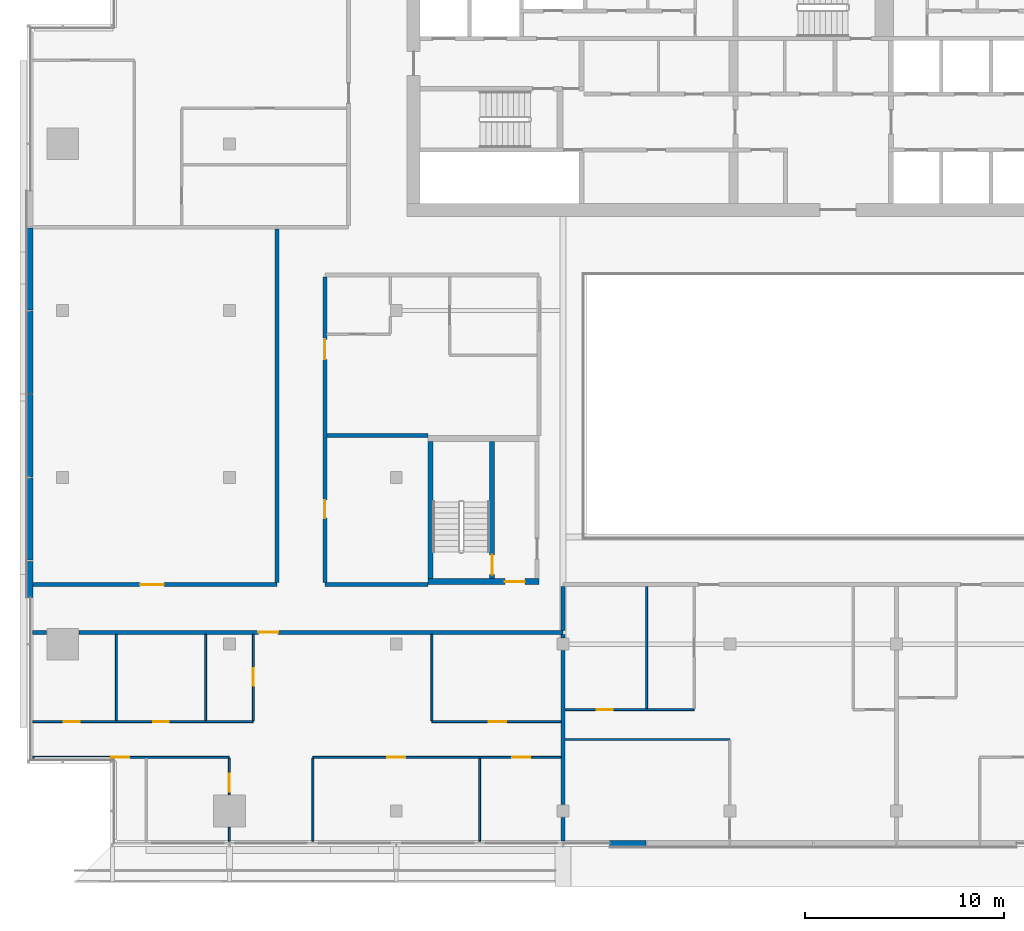
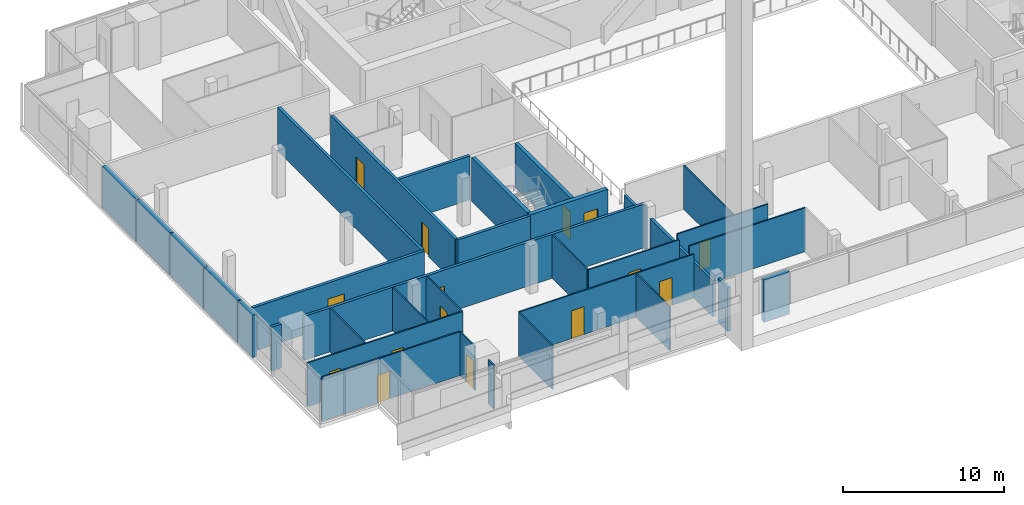
# One storey, part 19 of 31: 35 walls, 15 doors, 15 openings.
"""IFC4 building model written with IfcOpenShell, lengths in metres."""

from ifc_helpers import new_model, si_unit, direction, frame, frame_2d, origin, place, context, subcontext, project, spatial, rectangle, extrude, material, layer, layer_set, type_object, element, fill, save


model = new_model("IFC4")

# Units and contexts
model_context = context("Model", 3, precision=1e-05, world=origin(), true_north=direction((0.0, 1.0)))
body_context = subcontext(model_context, "Body", "Model", "MODEL_VIEW")
ifc_project = project(units=[si_unit("LENGTHUNIT", "METRE"), si_unit("AREAUNIT", "SQUARE_METRE"), si_unit("VOLUMEUNIT", "CUBIC_METRE"), si_unit("PLANEANGLEUNIT", "RADIAN"), si_unit("MASSUNIT", "GRAM", prefix="KILO")], contexts=[model_context])

# Site, building, storey
site_placement = place(None, origin())
site = spatial("IfcSite", under=ifc_project, at=site_placement, CompositionType="ELEMENT")
building_placement = place(site_placement, origin())
building = spatial("IfcBuilding", under=site, at=building_placement, Name="Saffron Gate Tower", CompositionType="ELEMENT")
storey_placement = place(building_placement, frame((0.0, 0.0, 205.5)))
storey = spatial("IfcBuildingStorey", under=building, at=storey_placement, Name="L49", CompositionType="ELEMENT", Elevation=205.5)

# Wall
ifc_material_1 = material(Name="Concrete C60", Category="concrete")
ifc_layer_1 = layer(ifc_material_1, 0.25)
ifc_layer_set_1 = layer_set([ifc_layer_1], Name="CW14 RC core wall 250 C60")
wall_type_1 = type_object("IfcWallType", Name="CW14 RC core wall 250 C60", PredefinedType="SOLIDWALL", material=ifc_layer_set_1)
wall_1_placement = place(storey_placement, frame((68.324951171875, 43.5, 0.0), z_axis=(0.0, 0.0, 1.0), x_axis=(0.0, 1.0, 0.0)))
element("IfcWall", 1, at=wall_1_placement, inside=storey, type_object=wall_type_1, Name="Wall CW14-L49-D-2", PredefinedType="SOLIDWALL", context=body_context, shape_type="SweptSolid", body=[
    extrude(rectangle(XDim=6.89990234375, YDim=0.25, at=frame_2d((3.449951171875, 0.0))), origin(), (0.0, 0.0, 1.0), 3.320068359375),
])

# Wall, opening, door
wall_2_placement = place(storey_placement, frame((71.425048828125, 43.5, 0.0), z_axis=(0.0, 0.0, 1.0), x_axis=(0.0, 1.0, 0.0)))
wall_2 = element("IfcWall", 2, at=wall_2_placement, inside=storey, type_object=wall_type_1, Name="Wall CW14-L49-D-3", PredefinedType="SOLIDWALL", context=body_context, shape_type="SweptSolid", body=[
    extrude(rectangle(XDim=6.89990234375, YDim=0.25, at=frame_2d((3.449951171875, 0.0))), origin(), (0.0, 0.0, 1.0), 3.320068359375),
])
opening_1_placement = place(wall_2_placement, frame((0.199951171875, 0.0, 0.0)))
opening_1 = element("IfcOpeningElement", 3, at=opening_1_placement, cuts=wall_2, Name="Opening CR-20", PredefinedType="OPENING", context=body_context, shape_type="SweptSolid", body=[
    extrude(rectangle(XDim=1.0, YDim=2.10009765625, at=frame_2d((0.5, 1.050048828125))), frame((0.0, 0.135009765625, 0.0), z_axis=(0.0, -1.0, 0.0), x_axis=(1.0, 0.0, 0.0)), (0.0, 0.0, 1.0), 0.27001953125),
])
ifc_material_2 = material(Name="Steel fire door set", Category="steel")
door_type_1 = type_object("IfcDoorType", Name="CD5 Stair door 1000x2100 EI 120", OperationType="NOTDEFINED", PredefinedType="DOOR", material=ifc_material_2)
door_1_placement = place(opening_1_placement, origin())
door_1 = element("IfcDoor", 4, at=door_1_placement, inside=storey, type_object=door_type_1, Name="DOOR CR-20", OperationType="SINGLE_SWING_LEFT", OverallHeight=2.10009765625, OverallWidth=1.0, PredefinedType="DOOR", context=body_context, shape_type="SweptSolid", body=[
    extrude(rectangle(XDim=1.0, YDim=2.10009765625, at=frame_2d((0.5, 1.050048828125))), frame((0.0, 0.02490234375, 0.0), z_axis=(0.0, -1.0, 0.0), x_axis=(1.0, 0.0, 0.0)), (0.0, 0.0, 1.0), 0.050048828125),
])
fill(opening_1, door_1)

ifc_layer_2 = layer(ifc_material_1, 0.300048828125)
ifc_layer_set_2 = layer_set([ifc_layer_2], Name="CW17 RC core wall 300 C60")
wall_type_2 = type_object("IfcWallType", Name="CW17 RC core wall 300 C60", PredefinedType="SOLIDWALL", material=ifc_layer_set_2)
wall_3_placement = place(storey_placement, frame((68.199951171875, 43.35009765625, 0.0), z_axis=(0.0, 0.0, 1.0), x_axis=(1.0, 0.0, 0.0)))
wall_3 = element("IfcWall", 5, at=wall_3_placement, inside=storey, type_object=wall_type_2, Name="Wall CW17-L49-D-1", PredefinedType="SOLIDWALL", context=body_context, shape_type="SweptSolid", body=[
    extrude(rectangle(XDim=5.60009765625, YDim=0.300048828125, at=frame_2d((2.800048828125, 0.0))), origin(), (0.0, 0.0, 1.0), 3.320068359375),
])
opening_2_placement = place(wall_3_placement, frame((3.875, 0.0, 0.0)))
opening_2 = element("IfcOpeningElement", 6, at=opening_2_placement, cuts=wall_3, Name="Opening CR-18", PredefinedType="OPENING", context=body_context, shape_type="SweptSolid", body=[
    extrude(rectangle(XDim=1.0, YDim=2.10009765625, at=frame_2d((0.5, 1.050048828125))), frame((0.0, 0.16015625, 0.0), z_axis=(0.0, -1.0, 0.0), x_axis=(1.0, 0.0, 0.0)), (0.0, 0.0, 1.0), 0.320068359375),
])
door_type_2 = type_object("IfcDoorType", Name="CD4 Lobby door 1000x2100 EI 120", OperationType="NOTDEFINED", PredefinedType="DOOR", material=ifc_material_2)
door_2_placement = place(opening_2_placement, origin())
door_2 = element("IfcDoor", 7, at=door_2_placement, inside=storey, type_object=door_type_2, Name="DOOR CR-18", OperationType="SINGLE_SWING_RIGHT", OverallHeight=2.10009765625, OverallWidth=1.0, PredefinedType="DOOR", context=body_context, shape_type="SweptSolid", body=[
    extrude(rectangle(XDim=1.0, YDim=2.10009765625, at=frame_2d((0.5, 1.050048828125))), frame((0.0, 0.02490234375, 0.0), z_axis=(0.0, -1.0, 0.0), x_axis=(1.0, 0.0, 0.0)), (0.0, 0.0, 1.0), 0.050048828125),
])
fill(opening_2, door_2)

ifc_material_3 = material(Name="Plasterboard on steel studs", Category="steel")
ifc_layer_3 = layer(ifc_material_3, 0.10009765625)
ifc_layer_set_3 = layer_set([ifc_layer_3], Name="PW1 Partition 100")
wall_type_3 = type_object("IfcWallType", Name="PW1 Partition 100", PredefinedType="PARTITIONING", material=ifc_layer_set_3)
wall_4_placement = place(storey_placement, frame((58.199951171875, 34.5, 0.0), z_axis=(0.0, 0.0, 1.0), x_axis=(-1.0, 0.0, 0.0)))
wall_4 = element("IfcWall", 8, at=wall_4_placement, inside=storey, type_object=wall_type_3, Name="Partition D1-1", PredefinedType="PARTITIONING", context=body_context, shape_type="SweptSolid", body=[
    extrude(rectangle(XDim=9.919921875, YDim=0.10009765625, at=frame_2d((4.9599609375, 0.0))), origin(), (0.0, 0.0, 1.0), 3.320068359375),
])
opening_3_placement = place(wall_4_placement, frame((5.0537109375, 0.0, 0.0)))
opening_3 = element("IfcOpeningElement", 9, at=opening_3_placement, cuts=wall_4, Name="Opening D1-9", PredefinedType="OPENING", context=body_context, shape_type="SweptSolid", body=[
    extrude(rectangle(XDim=0.89990234375, YDim=2.10009765625, at=frame_2d((0.449951171875, 1.050048828125))), frame((0.0, 0.06005859375, 0.0), z_axis=(0.0, -1.0, 0.0), x_axis=(1.0, 0.0, 0.0)), (0.0, 0.0, 1.0), 0.1201171875),
])
ifc_material_4 = material(Name="Timber door set", Category="wood")
door_type_3 = type_object("IfcDoorType", Name="RD1 Room door 900x2100", OperationType="NOTDEFINED", PredefinedType="DOOR", material=ifc_material_4)
door_3_placement = place(opening_3_placement, origin())
door_3 = element("IfcDoor", 10, at=door_3_placement, inside=storey, type_object=door_type_3, Name="Door D1-9", OperationType="SINGLE_SWING_LEFT", OverallHeight=2.10009765625, OverallWidth=0.89990234375, PredefinedType="DOOR", context=body_context, shape_type="SweptSolid", body=[
    extrude(rectangle(XDim=0.89990234375, YDim=2.10009765625, at=frame_2d((0.449951171875, 1.050048828125))), frame((0.0, 0.02490234375, 0.0), z_axis=(0.0, -1.0, 0.0), x_axis=(1.0, 0.0, 0.0)), (0.0, 0.0, 1.0), 0.050048828125),
])
fill(opening_3, door_3)

# Wall, openings, doors
wall_5_placement = place(storey_placement, frame((74.89990234375, 34.5, 0.0), z_axis=(0.0, 0.0, 1.0), x_axis=(-1.0, 0.0, 0.0)))
wall_5 = element("IfcWall", 11, at=wall_5_placement, inside=storey, type_object=wall_type_3, Name="Partition D1-2", PredefinedType="PARTITIONING", context=body_context, shape_type="SweptSolid", body=[
    extrude(rectangle(XDim=12.5, YDim=0.10009765625, at=frame_2d((6.25, 0.0))), origin(), (0.0, 0.0, 1.0), 3.320068359375),
])
opening_4_placement = place(wall_5_placement, frame((1.550048828125, 0.0, 0.0)))
opening_4 = element("IfcOpeningElement", 12, at=opening_4_placement, cuts=wall_5, Name="Opening D1-12", PredefinedType="OPENING", context=body_context, shape_type="SweptSolid", body=[
    extrude(rectangle(XDim=0.89990234375, YDim=2.10009765625, at=frame_2d((0.449951171875, 1.050048828125))), frame((0.0, 0.06005859375, 0.0), z_axis=(0.0, -1.0, 0.0), x_axis=(1.0, 0.0, 0.0)), (0.0, 0.0, 1.0), 0.1201171875),
])
opening_5_placement = place(wall_5_placement, frame((7.85009765625, 0.0, 0.0)))
opening_5 = element("IfcOpeningElement", 13, at=opening_5_placement, cuts=wall_5, Name="Opening D1-11", PredefinedType="OPENING", context=body_context, shape_type="SweptSolid", body=[
    extrude(rectangle(XDim=0.89990234375, YDim=2.10009765625, at=frame_2d((0.449951171875, 1.050048828125))), frame((0.0, 0.06005859375, 0.0), z_axis=(0.0, -1.0, 0.0), x_axis=(1.0, 0.0, 0.0)), (0.0, 0.0, 1.0), 0.1201171875),
])
door_4_placement = place(opening_4_placement, origin())
door_4 = element("IfcDoor", 14, at=door_4_placement, inside=storey, type_object=door_type_3, Name="Door D1-12", OperationType="SINGLE_SWING_LEFT", OverallHeight=2.10009765625, OverallWidth=0.89990234375, PredefinedType="DOOR", context=body_context, shape_type="SweptSolid", body=[
    extrude(rectangle(XDim=0.89990234375, YDim=2.10009765625, at=frame_2d((0.449951171875, 1.050048828125))), frame((0.0, 0.02490234375, 0.0), z_axis=(0.0, -1.0, 0.0), x_axis=(1.0, 0.0, 0.0)), (0.0, 0.0, 1.0), 0.050048828125),
])
fill(opening_4, door_4)
door_5_placement = place(opening_5_placement, origin())
door_5 = element("IfcDoor", 15, at=door_5_placement, inside=storey, type_object=door_type_3, Name="Door D1-11", OperationType="SINGLE_SWING_RIGHT", OverallHeight=2.10009765625, OverallWidth=0.89990234375, PredefinedType="DOOR", context=body_context, shape_type="SweptSolid", body=[
    extrude(rectangle(XDim=0.89990234375, YDim=2.10009765625, at=frame_2d((0.449951171875, 1.050048828125))), frame((0.0, 0.02490234375, 0.0), z_axis=(0.0, -1.0, 0.0), x_axis=(1.0, 0.0, 0.0)), (0.0, 0.0, 1.0), 0.050048828125),
])
fill(opening_5, door_5)

# Wall
wall_6_placement = place(storey_placement, frame((75.10009765625, 35.39990234375, 0.0), z_axis=(0.0, 0.0, 1.0), x_axis=(1.0, 0.0, 0.0)))
element("IfcWall", 16, at=wall_6_placement, inside=storey, type_object=wall_type_3, Name="Partition D1-4", PredefinedType="PARTITIONING", context=body_context, shape_type="SweptSolid", body=[
    extrude(rectangle(XDim=8.2998046875, YDim=0.10009765625, at=frame_2d((4.14990234375, 0.0))), origin(), (0.0, 0.0, 1.0), 3.320068359375),
])

# Wall, openings, doors
wall_7_placement = place(storey_placement, frame((48.280029296875, 36.300048828125, 0.0), z_axis=(0.0, 0.0, 1.0), x_axis=(1.0, 0.0, 0.0)))
wall_7 = element("IfcWall", 17, at=wall_7_placement, inside=storey, type_object=wall_type_3, Name="Partition D1-5", PredefinedType="PARTITIONING", context=body_context, shape_type="SweptSolid", body=[
    extrude(rectangle(XDim=11.119873046875, YDim=0.10009765625, at=frame_2d((5.56005859375, 0.0))), origin(), (0.0, 0.0, 1.0), 3.320068359375),
])
opening_6_placement = place(wall_7_placement, frame((1.570068359375, 0.0, 0.0)))
opening_6 = element("IfcOpeningElement", 18, at=opening_6_placement, cuts=wall_7, Name="Opening D1-32", PredefinedType="OPENING", context=body_context, shape_type="SweptSolid", body=[
    extrude(rectangle(XDim=0.800048828125, YDim=2.10009765625, at=frame_2d((0.39990234375, 1.050048828125))), frame((0.0, 0.06005859375, 0.0), z_axis=(0.0, -1.0, 0.0), x_axis=(1.0, 0.0, 0.0)), (0.0, 0.0, 1.0), 0.1201171875),
])
opening_7_placement = place(wall_7_placement, frame((6.070068359375, 0.0, 0.0)))
opening_7 = element("IfcOpeningElement", 19, at=opening_7_placement, cuts=wall_7, Name="Opening D1-33", PredefinedType="OPENING", context=body_context, shape_type="SweptSolid", body=[
    extrude(rectangle(XDim=0.800048828125, YDim=2.10009765625, at=frame_2d((0.39990234375, 1.050048828125))), frame((0.0, 0.06005859375, 0.0), z_axis=(0.0, -1.0, 0.0), x_axis=(1.0, 0.0, 0.0)), (0.0, 0.0, 1.0), 0.1201171875),
])
door_type_4 = type_object("IfcDoorType", Name="RD2 Bathroom door 800x2100", OperationType="NOTDEFINED", PredefinedType="DOOR", material=ifc_material_4)
door_6_placement = place(opening_6_placement, origin())
door_6 = element("IfcDoor", 20, at=door_6_placement, inside=storey, type_object=door_type_4, Name="Door D1-32", OperationType="SINGLE_SWING_LEFT", OverallHeight=2.10009765625, OverallWidth=0.800048828125, PredefinedType="DOOR", context=body_context, shape_type="SweptSolid", body=[
    extrude(rectangle(XDim=0.800048828125, YDim=2.10009765625, at=frame_2d((0.39990234375, 1.050048828125))), frame((0.0, 0.02490234375, 0.0), z_axis=(0.0, -1.0, 0.0), x_axis=(1.0, 0.0, 0.0)), (0.0, 0.0, 1.0), 0.050048828125),
])
fill(opening_6, door_6)
door_7_placement = place(opening_7_placement, origin())
door_7 = element("IfcDoor", 21, at=door_7_placement, inside=storey, type_object=door_type_4, Name="Door D1-33", OperationType="SINGLE_SWING_LEFT", OverallHeight=2.10009765625, OverallWidth=0.800048828125, PredefinedType="DOOR", context=body_context, shape_type="SweptSolid", body=[
    extrude(rectangle(XDim=0.800048828125, YDim=2.10009765625, at=frame_2d((0.39990234375, 1.050048828125))), frame((0.0, 0.02490234375, 0.0), z_axis=(0.0, -1.0, 0.0), x_axis=(1.0, 0.0, 0.0)), (0.0, 0.0, 1.0), 0.050048828125),
])
fill(opening_7, door_7)

# Wall, opening, door
wall_8_placement = place(storey_placement, frame((68.39990234375, 36.300048828125, 0.0), z_axis=(0.0, 0.0, 1.0), x_axis=(1.0, 0.0, 0.0)))
wall_8 = element("IfcWall", 22, at=wall_8_placement, inside=storey, type_object=wall_type_3, Name="Partition D1-6", PredefinedType="PARTITIONING", context=body_context, shape_type="SweptSolid", body=[
    extrude(rectangle(XDim=6.5, YDim=0.10009765625, at=frame_2d((3.25, 0.0))), origin(), (0.0, 0.0, 1.0), 3.320068359375),
])
opening_8_placement = place(wall_8_placement, frame((2.85009765625, 0.0, 0.0)))
opening_8 = element("IfcOpeningElement", 23, at=opening_8_placement, cuts=wall_8, Name="Opening D1-13", PredefinedType="OPENING", context=body_context, shape_type="SweptSolid", body=[
    extrude(rectangle(XDim=0.89990234375, YDim=2.10009765625, at=frame_2d((0.449951171875, 1.050048828125))), frame((0.0, 0.06005859375, 0.0), z_axis=(0.0, -1.0, 0.0), x_axis=(1.0, 0.0, 0.0)), (0.0, 0.0, 1.0), 0.1201171875),
])
door_8_placement = place(opening_8_placement, origin())
door_8 = element("IfcDoor", 24, at=door_8_placement, inside=storey, type_object=door_type_3, Name="Door D1-13", OperationType="SINGLE_SWING_RIGHT", OverallHeight=2.10009765625, OverallWidth=0.89990234375, PredefinedType="DOOR", context=body_context, shape_type="SweptSolid", body=[
    extrude(rectangle(XDim=0.89990234375, YDim=2.10009765625, at=frame_2d((0.449951171875, 1.050048828125))), frame((0.0, 0.02490234375, 0.0), z_axis=(0.0, -1.0, 0.0), x_axis=(1.0, 0.0, 0.0)), (0.0, 0.0, 1.0), 0.050048828125),
])
fill(opening_8, door_8)

wall_9_placement = place(storey_placement, frame((75.10009765625, 36.89990234375, 0.0), z_axis=(0.0, 0.0, 1.0), x_axis=(1.0, 0.0, 0.0)))
wall_9 = element("IfcWall", 25, at=wall_9_placement, inside=storey, type_object=wall_type_3, Name="Partition D1-9", PredefinedType="PARTITIONING", context=body_context, shape_type="SweptSolid", body=[
    extrude(rectangle(XDim=6.5, YDim=0.10009765625, at=frame_2d((3.25, 0.0))), origin(), (0.0, 0.0, 1.0), 3.320068359375),
])
opening_9_placement = place(wall_9_placement, frame((1.603271484375, 0.0, 0.0)))
opening_9 = element("IfcOpeningElement", 26, at=opening_9_placement, cuts=wall_9, Name="Opening D1-34", PredefinedType="OPENING", context=body_context, shape_type="SweptSolid", body=[
    extrude(rectangle(XDim=0.800048828125, YDim=2.10009765625, at=frame_2d((0.39990234375, 1.050048828125))), frame((0.0, 0.06005859375, 0.0), z_axis=(0.0, -1.0, 0.0), x_axis=(1.0, 0.0, 0.0)), (0.0, 0.0, 1.0), 0.1201171875),
])
door_9_placement = place(opening_9_placement, origin())
door_9 = element("IfcDoor", 27, at=door_9_placement, inside=storey, type_object=door_type_4, Name="Door D1-34", OperationType="SINGLE_SWING_LEFT", OverallHeight=2.10009765625, OverallWidth=0.800048828125, PredefinedType="DOOR", context=body_context, shape_type="SweptSolid", body=[
    extrude(rectangle(XDim=0.800048828125, YDim=2.10009765625, at=frame_2d((0.39990234375, 1.050048828125))), frame((0.0, 0.02490234375, 0.0), z_axis=(0.0, -1.0, 0.0), x_axis=(1.0, 0.0, 0.0)), (0.0, 0.0, 1.0), 0.050048828125),
])
fill(opening_9, door_9)

# Walls
for number, where, z_axis, x_axis, name in (
    (28, (52.5, 40.699951171875, 0.0), (0.0, 0.0, 1.0), (0.0, -1.0, 0.0), "Partition D1-45"),
    (29, (57.0, 40.699951171875, 0.0), (0.0, 0.0, 1.0), (0.0, -1.0, 0.0), "Partition D1-50"),
):
    element("IfcWall", number, at=place(storey_placement, frame(where, z_axis=z_axis, x_axis=x_axis)), inside=storey, type_object=wall_type_3, Name=name, PredefinedType="PARTITIONING", context=body_context, shape_type="SweptSolid", body=[
        extrude(rectangle(XDim=4.349853515625, YDim=0.10009765625, at=frame_2d((2.1748046875, 0.0))), origin(), (0.0, 0.0, 1.0), 3.320068359375),
    ])
wall_10_placement = place(storey_placement, frame((58.199951171875, 30.97998046875, 0.0), z_axis=(0.0, 0.0, 1.0), x_axis=(0.0, -1.0, 0.0)))
element("IfcWall", 30, at=wall_10_placement, inside=storey, type_object=wall_type_3, Name="Partition D1-51", PredefinedType="PARTITIONING", context=body_context, shape_type="SweptSolid", body=[
    extrude(rectangle(XDim=0.699951171875, YDim=0.10009765625, at=frame_2d((0.35009765625, 0.0))), origin(), (0.0, 0.0, 1.0), 3.320068359375),
])

# Wall, opening, door
wall_11_placement = place(storey_placement, frame((58.199951171875, 32.6201171875, 0.0), z_axis=(0.0, 0.0, 1.0), x_axis=(0.0, 1.0, 0.0)))
wall_11 = element("IfcWall", 31, at=wall_11_placement, inside=storey, type_object=wall_type_3, Name="Partition D1-52", PredefinedType="PARTITIONING", context=body_context, shape_type="SweptSolid", body=[
    extrude(rectangle(XDim=1.829833984375, YDim=0.10009765625, at=frame_2d((0.9150390625, 0.0))), origin(), (0.0, 0.0, 1.0), 3.320068359375),
])
opening_10_placement = place(wall_11_placement, frame((0.14990234375, 0.0, 0.0)))
opening_10 = element("IfcOpeningElement", 32, at=opening_10_placement, cuts=wall_11, Name="Opening D1-10", PredefinedType="OPENING", context=body_context, shape_type="SweptSolid", body=[
    extrude(rectangle(XDim=0.89990234375, YDim=2.10009765625, at=frame_2d((0.449951171875, 1.050048828125))), frame((0.0, 0.06005859375, 0.0), z_axis=(0.0, -1.0, 0.0), x_axis=(1.0, 0.0, 0.0)), (0.0, 0.0, 1.0), 0.1201171875),
])
door_10_placement = place(opening_10_placement, origin())
door_10 = element("IfcDoor", 33, at=door_10_placement, inside=storey, type_object=door_type_3, Name="Door D1-10", OperationType="SINGLE_SWING_LEFT", OverallHeight=2.10009765625, OverallWidth=0.89990234375, PredefinedType="DOOR", context=body_context, shape_type="SweptSolid", body=[
    extrude(rectangle(XDim=0.89990234375, YDim=2.10009765625, at=frame_2d((0.449951171875, 1.050048828125))), frame((0.0, 0.02490234375, 0.0), z_axis=(0.0, -1.0, 0.0), x_axis=(1.0, 0.0, 0.0)), (0.0, 0.0, 1.0), 0.050048828125),
])
fill(opening_10, door_10)

wall_12_placement = place(storey_placement, frame((59.39990234375, 36.35009765625, 0.0), z_axis=(0.0, 0.0, 1.0), x_axis=(0.0, 1.0, 0.0)))
wall_12 = element("IfcWall", 34, at=wall_12_placement, inside=storey, type_object=wall_type_3, Name="Partition D1-53", PredefinedType="PARTITIONING", context=body_context, shape_type="SweptSolid", body=[
    extrude(rectangle(XDim=4.349853515625, YDim=0.10009765625, at=frame_2d((2.1748046875, 0.0))), origin(), (0.0, 0.0, 1.0), 3.320068359375),
])
opening_11_placement = place(wall_12_placement, frame((1.75, 0.0, 0.0)))
opening_11 = element("IfcOpeningElement", 35, at=opening_11_placement, cuts=wall_12, Name="Opening D1-14", PredefinedType="OPENING", context=body_context, shape_type="SweptSolid", body=[
    extrude(rectangle(XDim=0.89990234375, YDim=2.10009765625, at=frame_2d((0.449951171875, 1.050048828125))), frame((0.0, 0.06005859375, 0.0), z_axis=(0.0, -1.0, 0.0), x_axis=(1.0, 0.0, 0.0)), (0.0, 0.0, 1.0), 0.1201171875),
])
door_11_placement = place(opening_11_placement, origin())
door_11 = element("IfcDoor", 36, at=door_11_placement, inside=storey, type_object=door_type_3, Name="Door D1-14", OperationType="SINGLE_SWING_RIGHT", OverallHeight=2.10009765625, OverallWidth=0.89990234375, PredefinedType="DOOR", context=body_context, shape_type="SweptSolid", body=[
    extrude(rectangle(XDim=0.89990234375, YDim=2.10009765625, at=frame_2d((0.449951171875, 1.050048828125))), frame((0.0, 0.02490234375, 0.0), z_axis=(0.0, -1.0, 0.0), x_axis=(1.0, 0.0, 0.0)), (0.0, 0.0, 1.0), 0.050048828125),
])
fill(opening_11, door_11)

# Walls
wall_13_placement = place(storey_placement, frame((62.39990234375, 34.449951171875, 0.0), z_axis=(0.0, 0.0, 1.0), x_axis=(0.0, -1.0, 0.0)))
element("IfcWall", 37, at=wall_13_placement, inside=storey, type_object=wall_type_3, Name="Partition D1-55", PredefinedType="PARTITIONING", context=body_context, shape_type="SweptSolid", body=[
    extrude(rectangle(XDim=4.169921875, YDim=0.10009765625, at=frame_2d((2.0849609375, 0.0))), origin(), (0.0, 0.0, 1.0), 3.320068359375),
])
wall_14_placement = place(storey_placement, frame((68.39990234375, 40.699951171875, 0.0), z_axis=(0.0, 0.0, 1.0), x_axis=(0.0, -1.0, 0.0)))
element("IfcWall", 38, at=wall_14_placement, inside=storey, type_object=wall_type_3, Name="Partition D1-60", PredefinedType="PARTITIONING", context=body_context, shape_type="SweptSolid", body=[
    extrude(rectangle(XDim=4.349853515625, YDim=0.10009765625, at=frame_2d((2.1748046875, 0.0))), origin(), (0.0, 0.0, 1.0), 3.320068359375),
])
wall_15_placement = place(storey_placement, frame((70.800048828125, 34.449951171875, 0.0), z_axis=(0.0, 0.0, 1.0), x_axis=(0.0, -1.0, 0.0)))
element("IfcWall", 39, at=wall_15_placement, inside=storey, type_object=wall_type_3, Name="Partition D1-62", PredefinedType="PARTITIONING", context=body_context, shape_type="SweptSolid", body=[
    extrude(rectangle(XDim=4.169921875, YDim=0.10009765625, at=frame_2d((2.0849609375, 0.0))), origin(), (0.0, 0.0, 1.0), 3.320068359375),
])
wall_16_placement = place(storey_placement, frame((79.206298828125, 43.10009765625, 0.0), z_axis=(0.0, 0.0, 1.0), x_axis=(0.0, -1.0, 0.0)))
element("IfcWall", 40, at=wall_16_placement, inside=storey, type_object=wall_type_3, Name="Partition D1-68", PredefinedType="PARTITIONING", context=body_context, shape_type="SweptSolid", body=[
    extrude(rectangle(XDim=6.150146484375, YDim=0.10009765625, at=frame_2d((3.0751953125, 0.0))), origin(), (0.0, 0.0, 1.0), 3.320068359375),
])
ifc_material_5 = material(Name="Clay brick masonry, rendered", Category="masonry")
ifc_layer_4 = layer(ifc_material_5, 0.199951171875)
ifc_layer_set_4 = layer_set([ifc_layer_4], Name="PW2 Demising wall 200")
wall_type_4 = type_object("IfcWallType", Name="PW2 Demising wall 200", PredefinedType="PARTITIONING", material=ifc_layer_set_4)
wall_17_placement = place(storey_placement, frame((63.10009765625, 50.699951171875, 0.0), z_axis=(0.0, 0.0, 1.0), x_axis=(1.0, 0.0, 0.0)))
element("IfcWall", 41, at=wall_17_placement, inside=storey, type_object=wall_type_4, Name="Wall D1-21", PredefinedType="PARTITIONING", context=body_context, shape_type="SweptSolid", body=[
    extrude(rectangle(XDim=5.099853515625, YDim=0.199951171875, at=frame_2d((2.5498046875, 0.0))), origin(), (0.0, 0.0, 1.0), 3.320068359375),
])
wall_18_placement = place(storey_placement, frame((75.0, 31.47998046875, 0.0), z_axis=(0.0, 0.0, 1.0), x_axis=(0.0, -1.0, 0.0)))
element("IfcWall", 42, at=wall_18_placement, inside=storey, type_object=wall_type_4, Name="Wall D1-65", PredefinedType="PARTITIONING", context=body_context, shape_type="SweptSolid", body=[
    extrude(rectangle(XDim=1.199951171875, YDim=0.199951171875, at=frame_2d((0.60009765625, 0.0))), origin(), (0.0, 0.0, 1.0), 3.320068359375),
])
wall_19_placement = place(storey_placement, frame((75.0, 39.8798828125, 0.0), z_axis=(0.0, 0.0, 1.0), x_axis=(0.0, -1.0, 0.0)))
element("IfcWall", 43, at=wall_19_placement, inside=storey, type_object=wall_type_4, Name="Wall D1-66", PredefinedType="PARTITIONING", context=body_context, shape_type="SweptSolid", body=[
    extrude(rectangle(XDim=7.759765625, YDim=0.199951171875, at=frame_2d((3.8798828125, 0.0))), origin(), (0.0, 0.0, 1.0), 2.719970703125),
])
wall_20_placement = place(storey_placement, frame((75.0, 40.699951171875, 0.0), z_axis=(0.0, 0.0, 1.0), x_axis=(0.0, -1.0, 0.0)))
element("IfcWall", 44, at=wall_20_placement, inside=storey, type_object=wall_type_4, Name="Wall D1-67", PredefinedType="PARTITIONING", context=body_context, shape_type="SweptSolid", body=[
    extrude(rectangle(XDim=0.179931640625, YDim=0.199951171875, at=frame_2d((0.08984375, 0.0))), origin(), (0.0, 0.0, 1.0), 3.320068359375),
])
ifc_layer_5 = layer(ifc_material_5, 0.199951171875)
ifc_layer_set_5 = layer_set([ifc_layer_5], Name="PW3 Corridor wall 200")
wall_type_5 = type_object("IfcWallType", Name="PW3 Corridor wall 200", PredefinedType="PARTITIONING", material=ifc_layer_set_5)
wall_21_placement = place(storey_placement, frame((48.280029296875, 40.800048828125, 0.0), z_axis=(0.0, 0.0, 1.0), x_axis=(1.0, 0.0, 0.0)))
element("IfcWall", 45, at=wall_21_placement, inside=storey, type_object=wall_type_5, Name="Wall D1-12", PredefinedType="PARTITIONING", context=body_context, shape_type="SweptSolid", body=[
    extrude(rectangle(XDim=0.699951171875, YDim=0.199951171875, at=frame_2d((0.35009765625, 0.0))), origin(), (0.0, 0.0, 1.0), 3.320068359375),
])

# Wall, opening, door
wall_22_placement = place(storey_placement, frame((75.0, 40.800048828125, 0.0), z_axis=(0.0, 0.0, 1.0), x_axis=(-1.0, 0.0, 0.0)))
wall_22 = element("IfcWall", 46, at=wall_22_placement, inside=storey, type_object=wall_type_5, Name="Wall D1-13", PredefinedType="PARTITIONING", context=body_context, shape_type="SweptSolid", body=[
    extrude(rectangle(XDim=24.3798828125, YDim=0.199951171875, at=frame_2d((12.18994140625, 0.0))), origin(), (0.0, 0.0, 1.0), 3.320068359375),
])
opening_12_placement = place(wall_22_placement, frame((14.35009765625, 0.0, 0.0)))
opening_12 = element("IfcOpeningElement", 47, at=opening_12_placement, cuts=wall_22, Name="Opening D1-1", PredefinedType="OPENING", context=body_context, shape_type="SweptSolid", body=[
    extrude(rectangle(XDim=1.0, YDim=2.10009765625, at=frame_2d((0.5, 1.050048828125))), frame((0.0, 0.10986328125, 0.0), z_axis=(0.0, -1.0, 0.0), x_axis=(1.0, 0.0, 0.0)), (0.0, 0.0, 1.0), 0.219970703125),
])
ifc_material_6 = material(Name="Timber fire door set", Category="wood")
door_type_5 = type_object("IfcDoorType", Name="FD1 Flat entry door 1000x2100", OperationType="NOTDEFINED", PredefinedType="DOOR", material=ifc_material_6)
door_12_placement = place(opening_12_placement, origin())
door_12 = element("IfcDoor", 48, at=door_12_placement, inside=storey, type_object=door_type_5, Name="Door D1-1", OperationType="SINGLE_SWING_LEFT", OverallHeight=2.10009765625, OverallWidth=1.0, PredefinedType="DOOR", context=body_context, shape_type="SweptSolid", body=[
    extrude(rectangle(XDim=1.0, YDim=2.10009765625, at=frame_2d((0.5, 1.050048828125))), frame((0.0, 0.02490234375, 0.0), z_axis=(0.0, -1.0, 0.0), x_axis=(1.0, 0.0, 0.0)), (0.0, 0.0, 1.0), 0.050048828125),
])
fill(opening_12, door_12)

wall_23_placement = place(storey_placement, frame((48.280029296875, 43.199951171875, 0.0), z_axis=(0.0, 0.0, 1.0), x_axis=(1.0, 0.0, 0.0)))
wall_23 = element("IfcWall", 49, at=wall_23_placement, inside=storey, type_object=wall_type_5, Name="Wall D1-16", PredefinedType="PARTITIONING", context=body_context, shape_type="SweptSolid", body=[
    extrude(rectangle(XDim=12.320068359375, YDim=0.199951171875, at=frame_2d((6.16015625, 0.0))), origin(), (0.0, 0.0, 1.0), 3.320068359375),
])
opening_13_placement = place(wall_23_placement, frame((5.419921875, 0.0, 0.0)))
opening_13 = element("IfcOpeningElement", 50, at=opening_13_placement, cuts=wall_23, Name="Opening D1-45", PredefinedType="OPENING", context=body_context, shape_type="SweptSolid", body=[
    extrude(rectangle(XDim=1.199951171875, YDim=2.10009765625, at=frame_2d((0.60009765625, 1.050048828125))), frame((0.0, 0.10986328125, 0.0), z_axis=(0.0, -1.0, 0.0), x_axis=(1.0, 0.0, 0.0)), (0.0, 0.0, 1.0), 0.219970703125),
])
door_type_6 = type_object("IfcDoorType", Name="HD1 Hall door 1200x2100", OperationType="NOTDEFINED", PredefinedType="DOOR", material=ifc_material_4)
door_13_placement = place(opening_13_placement, origin())
door_13 = element("IfcDoor", 51, at=door_13_placement, inside=storey, type_object=door_type_6, Name="Door D1-45", OperationType="SINGLE_SWING_LEFT", OverallHeight=2.10009765625, OverallWidth=1.199951171875, PredefinedType="DOOR", context=body_context, shape_type="SweptSolid", body=[
    extrude(rectangle(XDim=1.199951171875, YDim=2.10009765625, at=frame_2d((0.60009765625, 1.050048828125))), frame((0.0, 0.02490234375, 0.0), z_axis=(0.0, -1.0, 0.0), x_axis=(1.0, 0.0, 0.0)), (0.0, 0.0, 1.0), 0.050048828125),
])
fill(opening_13, door_13)

# Walls
wall_24_placement = place(storey_placement, frame((63.0, 43.199951171875, 0.0), z_axis=(0.0, 0.0, 1.0), x_axis=(1.0, 0.0, 0.0)))
element("IfcWall", 52, at=wall_24_placement, inside=storey, type_object=wall_type_5, Name="Wall D1-17", PredefinedType="PARTITIONING", context=body_context, shape_type="SweptSolid", body=[
    extrude(rectangle(XDim=5.199951171875, YDim=0.199951171875, at=frame_2d((2.60009765625, 0.0))), origin(), (0.0, 0.0, 1.0), 3.320068359375),
])
wall_25_placement = place(storey_placement, frame((60.60009765625, 61.10009765625, 0.0), z_axis=(0.0, 0.0, 1.0), x_axis=(0.0, -1.0, 0.0)))
element("IfcWall", 53, at=wall_25_placement, inside=storey, type_object=wall_type_5, Name="Wall D1-54", PredefinedType="PARTITIONING", context=body_context, shape_type="SweptSolid", body=[
    extrude(rectangle(XDim=17.800048828125, YDim=0.199951171875, at=frame_2d((8.89990234375, 0.0))), origin(), (0.0, 0.0, 1.0), 3.320068359375),
])

# Wall, openings, doors
wall_26_placement = place(storey_placement, frame((63.0, 58.699951171875, 0.0), z_axis=(0.0, 0.0, 1.0), x_axis=(0.0, -1.0, 0.0)))
wall_26 = element("IfcWall", 54, at=wall_26_placement, inside=storey, type_object=wall_type_5, Name="Wall D1-56", PredefinedType="PARTITIONING", context=body_context, shape_type="SweptSolid", body=[
    extrude(rectangle(XDim=15.39990234375, YDim=0.199951171875, at=frame_2d((7.699951171875, 0.0))), origin(), (0.0, 0.0, 1.0), 3.320068359375),
])
opening_14_placement = place(wall_26_placement, frame((3.14990234375, 0.0, 0.0)))
opening_14 = element("IfcOpeningElement", 55, at=opening_14_placement, cuts=wall_26, Name="Opening D1-7", PredefinedType="OPENING", context=body_context, shape_type="SweptSolid", body=[
    extrude(rectangle(XDim=1.0, YDim=2.10009765625, at=frame_2d((0.5, 1.050048828125))), frame((0.0, 0.10986328125, 0.0), z_axis=(0.0, -1.0, 0.0), x_axis=(1.0, 0.0, 0.0)), (0.0, 0.0, 1.0), 0.219970703125),
])
opening_15_placement = place(wall_26_placement, frame((11.25, 0.0, 0.0)))
opening_15 = element("IfcOpeningElement", 56, at=opening_15_placement, cuts=wall_26, Name="Opening D1-43", PredefinedType="OPENING", context=body_context, shape_type="SweptSolid", body=[
    extrude(rectangle(XDim=0.89990234375, YDim=2.10009765625, at=frame_2d((0.449951171875, 1.050048828125))), frame((0.0, 0.10986328125, 0.0), z_axis=(0.0, -1.0, 0.0), x_axis=(1.0, 0.0, 0.0)), (0.0, 0.0, 1.0), 0.219970703125),
])
door_14_placement = place(opening_14_placement, origin())
door_14 = element("IfcDoor", 57, at=door_14_placement, inside=storey, type_object=door_type_5, Name="Door D1-7", OperationType="SINGLE_SWING_LEFT", OverallHeight=2.10009765625, OverallWidth=1.0, PredefinedType="DOOR", context=body_context, shape_type="SweptSolid", body=[
    extrude(rectangle(XDim=1.0, YDim=2.10009765625, at=frame_2d((0.5, 1.050048828125))), frame((0.0, 0.02490234375, 0.0), z_axis=(0.0, -1.0, 0.0), x_axis=(1.0, 0.0, 0.0)), (0.0, 0.0, 1.0), 0.050048828125),
])
fill(opening_14, door_14)
door_type_7 = type_object("IfcDoorType", Name="SD1 Service door 900x2100", OperationType="NOTDEFINED", PredefinedType="DOOR", material=ifc_material_2)
door_15_placement = place(opening_15_placement, origin())
door_15 = element("IfcDoor", 58, at=door_15_placement, inside=storey, type_object=door_type_7, Name="Door D1-43", OperationType="SINGLE_SWING_RIGHT", OverallHeight=2.10009765625, OverallWidth=0.89990234375, PredefinedType="DOOR", context=body_context, shape_type="SweptSolid", body=[
    extrude(rectangle(XDim=0.89990234375, YDim=2.10009765625, at=frame_2d((0.449951171875, 1.050048828125))), frame((0.0, 0.02490234375, 0.0), z_axis=(0.0, -1.0, 0.0), x_axis=(1.0, 0.0, 0.0)), (0.0, 0.0, 1.0), 0.050048828125),
])
fill(opening_15, door_15)

# Walls
wall_27_placement = place(storey_placement, frame((75.0, 43.10009765625, 0.0), z_axis=(0.0, 0.0, 1.0), x_axis=(0.0, -1.0, 0.0)))
element("IfcWall", 59, at=wall_27_placement, inside=storey, type_object=wall_type_5, Name="Wall D1-64", PredefinedType="PARTITIONING", context=body_context, shape_type="SweptSolid", body=[
    extrude(rectangle(XDim=2.2001953125, YDim=0.199951171875, at=frame_2d((1.10009765625, 0.0))), origin(), (0.0, 0.0, 1.0), 2.530029296875),
])
ifc_material_7 = material(Name="Reinforced concrete C40/50 with mineral wool insulation", Category="concrete")
ifc_layer_6 = layer(ifc_material_7, 0.30810546875)
ifc_layer_set_6 = layer_set([ifc_layer_6], Name="WBAY3 arch bay insulated wall")
wall_type_6 = type_object("IfcWallType", Name="WBAY3 arch bay insulated wall", PredefinedType="SOLIDWALL", material=ifc_layer_set_6)
wall_28_placement = place(storey_placement, frame((79.169921875, 30.154052734375, 0.0), z_axis=(0.0, 0.0, 1.0), x_axis=(-1.0, 0.0, 0.0)))
element("IfcWall", 60, at=wall_28_placement, inside=storey, type_object=wall_type_6, Name="ARCH BAY wall", PredefinedType="SOLIDWALL", context=body_context, shape_type="SweptSolid", body=[
    extrude(rectangle(XDim=1.819091796875, YDim=0.30810546875, at=frame_2d((0.90966796875, 0.0))), origin(), (0.0, 0.0, 1.0), 3.199951171875),
])
for number, where, z_axis, x_axis, name in (
    (61, (48.154052734375, 57.030029296875, 0.0), (0.0, 0.0, 1.0), (0.0, 1.0, 0.0), "ARCH BAY wall"),
    (62, (48.154052734375, 52.830078125, 0.0), (0.0, 0.0, 1.0), (0.0, 1.0, 0.0), "ARCH BAY wall"),
):
    element("IfcWall", number, at=place(storey_placement, frame(where, z_axis=z_axis, x_axis=x_axis)), inside=storey, type_object=wall_type_6, Name=name, PredefinedType="SOLIDWALL", context=body_context, shape_type="SweptSolid", body=[
        extrude(rectangle(XDim=4.139892578125, YDim=0.30810546875, at=frame_2d((2.06982421875, 0.0))), origin(), (0.0, 0.0, 1.0), 3.199951171875),
    ])
for number, where, z_axis, x_axis, name in (
    (63, (48.154052734375, 48.6298828125, 0.0), (0.0, 0.0, 1.0), (0.0, 1.0, 0.0), "ARCH BAY wall"),
    (64, (48.154052734375, 44.429931640625, 0.0), (0.0, 0.0, 1.0), (0.0, 1.0, 0.0), "ARCH BAY wall"),
):
    element("IfcWall", number, at=place(storey_placement, frame(where, z_axis=z_axis, x_axis=x_axis)), inside=storey, type_object=wall_type_6, Name=name, PredefinedType="SOLIDWALL", context=body_context, shape_type="SweptSolid", body=[
        extrude(rectangle(XDim=4.14013671875, YDim=0.30810546875, at=frame_2d((2.070068359375, 0.0))), origin(), (0.0, 0.0, 1.0), 3.199951171875),
    ])
wall_29_placement = place(storey_placement, frame((48.154052734375, 42.55078125, 0.0), z_axis=(0.0, 0.0, 1.0), x_axis=(0.0, 1.0, 0.0)))
element("IfcWall", 65, at=wall_29_placement, inside=storey, type_object=wall_type_6, Name="ARCH BAY wall", PredefinedType="SOLIDWALL", context=body_context, shape_type="SweptSolid", body=[
    extrude(rectangle(XDim=1.8193359375, YDim=0.30810546875, at=frame_2d((0.90966796875, 0.0))), origin(), (0.0, 0.0, 1.0), 3.199951171875),
])

save(model, "model.ifc")
